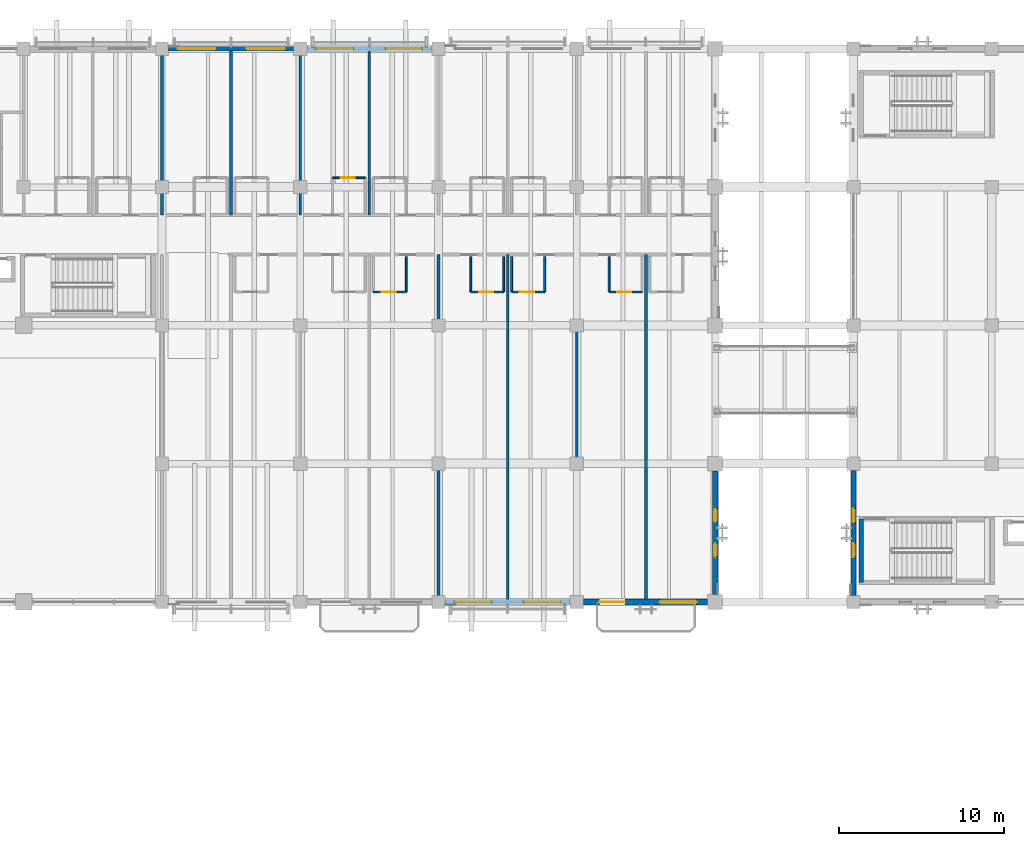
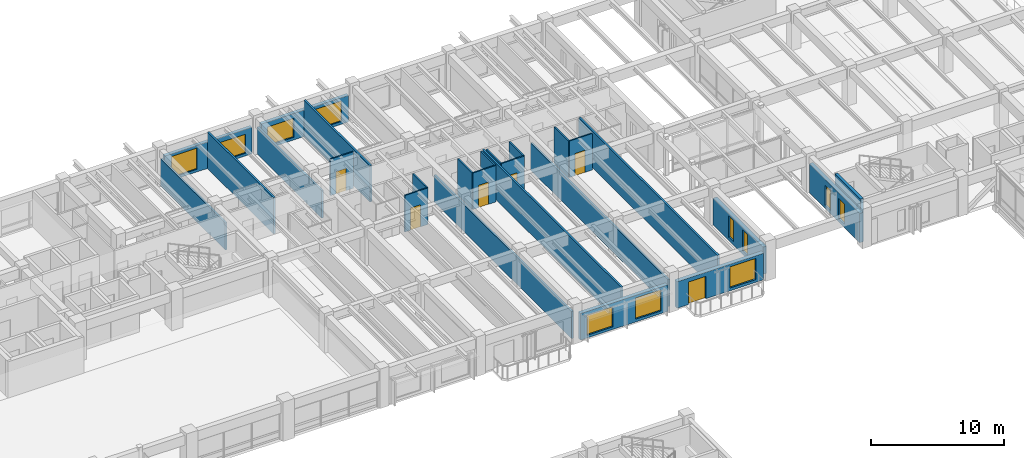
# One storey, part 75 of 118: 26 walls, 11 windows, 6 doors, 17 openings.
"""IFC4 building model written with IfcOpenShell, lengths in metres."""

from ifc_helpers import new_model, si_unit, direction, frame, frame_2d, origin, place, context, subcontext, project, spatial, rectangle, extrude, material, layer, layer_set, type_object, element, fill, save


model = new_model("IFC4")

# Units and contexts
model_context = context("Model", 3, precision=1e-05, world=origin(), true_north=direction((0.0, 1.0)))
body_context = subcontext(model_context, "Body", "Model", "MODEL_VIEW")
ifc_project = project(units=[si_unit("LENGTHUNIT", "METRE"), si_unit("AREAUNIT", "SQUARE_METRE"), si_unit("VOLUMEUNIT", "CUBIC_METRE"), si_unit("PLANEANGLEUNIT", "RADIAN"), si_unit("MASSUNIT", "GRAM", prefix="KILO")], contexts=[model_context])

# Site, building, storey
site_placement = place(None, origin())
site = spatial("IfcSite", under=ifc_project, at=site_placement, CompositionType="ELEMENT")
building_placement = place(site_placement, origin())
building = spatial("IfcBuilding", under=site, at=building_placement, Name="Cumbredor Promenade Congress Hotel", CompositionType="ELEMENT")
storey_placement = place(building_placement, frame((0.0, 0.0, 3.919921875)))
storey = spatial("IfcBuildingStorey", under=building, at=storey_placement, Name="L01", CompositionType="ELEMENT", Elevation=3.919921875)

# Wall, opening, door
ifc_material_1 = material(Name="Moisture-resistant gypsum board on steel studs", Category="steel")
ifc_layer_1 = layer(ifc_material_1, 0.114990234375, Name="Moisture-resistant gypsum board on steel studs", Category="steel")
ifc_layer_set_1 = layer_set([ifc_layer_1], Name="Moisture-resistant gypsum board on steel studs")
wall_type_1 = type_object("IfcWallType", Name="WL-BATH-115", PredefinedType="PARTITIONING", material=ifc_layer_set_1)
wall_1_placement = place(storey_placement, frame((60.760009765625, 109.77001953125, 0.0), z_axis=(0.0, 0.0, 1.0), x_axis=(1.0, 0.0, 0.0)))
wall_1 = element("IfcWall", 1, at=wall_1_placement, inside=storey, type_object=wall_type_1, Name="L01 Interior Partition W-L01-BH-0113", PredefinedType="PARTITIONING", context=body_context, shape_type="SweptSolid", body=[
    extrude(rectangle(XDim=2.0, YDim=0.114990234375, at=frame_2d((1.0, 0.0))), origin(), (0.0, 0.0, 1.0), 3.360107421875),
])
opening_1_placement = place(wall_1_placement, frame((0.5, 0.0, 0.0)))
opening_1 = element("IfcOpeningElement", 2, at=opening_1_placement, cuts=wall_1, Name="Opening ID-01", PredefinedType="OPENING", context=body_context, shape_type="SweptSolid", body=[
    extrude(rectangle(XDim=0.860107421875, YDim=2.050048828125, at=frame_2d((0.43017578125, 1.02490234375))), frame((0.0, 0.0673828125, 0.0), z_axis=(0.0, -1.0, 0.0), x_axis=(1.0, 0.0, 0.0)), (0.0, 0.0, 1.0), 0.135009765625),
])
ifc_material_2 = material(Name="Kiln-dried tropical hardwood", Category="wood")
door_type_1 = type_object("IfcDoorType", Name="DR-BATH-860", OperationType="NOTDEFINED", PredefinedType="DOOR", material=ifc_material_2)
door_1_placement = place(opening_1_placement, origin())
door_1 = element("IfcDoor", 3, at=door_1_placement, inside=storey, type_object=door_type_1, Name="L01 Interior Door W-L01-BH-0113-01", OperationType="SINGLE_SWING_LEFT", OverallHeight=2.050048828125, OverallWidth=0.860107421875, PredefinedType="DOOR", context=body_context, shape_type="SweptSolid", body=[
    extrude(rectangle(XDim=0.860107421875, YDim=2.050048828125, at=frame_2d((0.43017578125, 1.02490234375))), frame((0.0, 0.02490234375, 0.0), z_axis=(0.0, -1.0, 0.0), x_axis=(1.0, 0.0, 0.0)), (0.0, 0.0, 1.0), 0.050048828125),
])
fill(opening_1, door_1)

wall_2_placement = place(storey_placement, frame((63.239990234375, 102.830078125, 0.0), z_axis=(0.0, 0.0, 1.0), x_axis=(1.0, 0.0, 0.0)))
wall_2 = element("IfcWall", 4, at=wall_2_placement, inside=storey, type_object=wall_type_1, Name="L01 Interior Partition W-L01-BH-0121", PredefinedType="PARTITIONING", context=body_context, shape_type="SweptSolid", body=[
    extrude(rectangle(XDim=2.0, YDim=0.114990234375, at=frame_2d((1.0, 0.0))), origin(), (0.0, 0.0, 1.0), 3.360107421875),
])
opening_2_placement = place(wall_2_placement, frame((0.5, 0.0, 0.0)))
opening_2 = element("IfcOpeningElement", 5, at=opening_2_placement, cuts=wall_2, Name="Opening ID-01", PredefinedType="OPENING", context=body_context, shape_type="SweptSolid", body=[
    extrude(rectangle(XDim=0.860107421875, YDim=2.050048828125, at=frame_2d((0.43017578125, 1.02490234375))), frame((0.0, 0.0673828125, 0.0), z_axis=(0.0, -1.0, 0.0), x_axis=(1.0, 0.0, 0.0)), (0.0, 0.0, 1.0), 0.135009765625),
])
door_2_placement = place(opening_2_placement, origin())
door_2 = element("IfcDoor", 6, at=door_2_placement, inside=storey, type_object=door_type_1, Name="L01 Interior Door W-L01-BH-0121-01", OperationType="SINGLE_SWING_LEFT", OverallHeight=2.050048828125, OverallWidth=0.860107421875, PredefinedType="DOOR", context=body_context, shape_type="SweptSolid", body=[
    extrude(rectangle(XDim=0.860107421875, YDim=2.050048828125, at=frame_2d((0.43017578125, 1.02490234375))), frame((0.0, 0.02490234375, 0.0), z_axis=(0.0, -1.0, 0.0), x_axis=(1.0, 0.0, 0.0)), (0.0, 0.0, 1.0), 0.050048828125),
])
fill(opening_2, door_2)

# Wall
wall_3_placement = place(storey_placement, frame((65.239990234375, 102.830078125, 0.0), z_axis=(0.0, 0.0, 1.0), x_axis=(0.0, 1.0, 0.0)))
element("IfcWall", 7, at=wall_3_placement, inside=storey, type_object=wall_type_1, Name="L01 Interior Partition W-L01-BV2-0121", PredefinedType="PARTITIONING", context=body_context, shape_type="SweptSolid", body=[
    extrude(rectangle(XDim=2.14990234375, YDim=0.114990234375, at=frame_2d((1.074951171875, 0.0))), origin(), (0.0, 0.0, 1.0), 3.360107421875),
])

# Wall, opening, door
wall_4_placement = place(storey_placement, frame((69.159912109375, 102.830078125, 0.0), z_axis=(0.0, 0.0, 1.0), x_axis=(1.0, 0.0, 0.0)))
wall_4 = element("IfcWall", 8, at=wall_4_placement, inside=storey, type_object=wall_type_1, Name="L01 Interior Partition W-L01-BH-0122", PredefinedType="PARTITIONING", context=body_context, shape_type="SweptSolid", body=[
    extrude(rectangle(XDim=2.0, YDim=0.114990234375, at=frame_2d((1.0, 0.0))), origin(), (0.0, 0.0, 1.0), 3.360107421875),
])
opening_3_placement = place(wall_4_placement, frame((0.5, 0.0, 0.0)))
opening_3 = element("IfcOpeningElement", 9, at=opening_3_placement, cuts=wall_4, Name="Opening ID-01", PredefinedType="OPENING", context=body_context, shape_type="SweptSolid", body=[
    extrude(rectangle(XDim=0.860107421875, YDim=2.050048828125, at=frame_2d((0.43017578125, 1.02490234375))), frame((0.0, 0.0673828125, 0.0), z_axis=(0.0, -1.0, 0.0), x_axis=(1.0, 0.0, 0.0)), (0.0, 0.0, 1.0), 0.135009765625),
])
door_3_placement = place(opening_3_placement, origin())
door_3 = element("IfcDoor", 10, at=door_3_placement, inside=storey, type_object=door_type_1, Name="L01 Interior Door W-L01-BH-0122-01", OperationType="SINGLE_SWING_RIGHT", OverallHeight=2.050048828125, OverallWidth=0.860107421875, PredefinedType="DOOR", context=body_context, shape_type="SweptSolid", body=[
    extrude(rectangle(XDim=0.860107421875, YDim=2.050048828125, at=frame_2d((0.43017578125, 1.02490234375))), frame((0.0, 0.02490234375, 0.0), z_axis=(0.0, -1.0, 0.0), x_axis=(1.0, 0.0, 0.0)), (0.0, 0.0, 1.0), 0.050048828125),
])
fill(opening_3, door_3)

# Walls
for number, where, z_axis, x_axis, name in (
    (11, (69.159912109375, 102.830078125, 0.0), (0.0, 0.0, 1.0), (0.0, 1.0, 0.0), "L01 Interior Partition W-L01-BV1-0122"),
    (12, (71.159912109375, 102.830078125, 0.0), (0.0, 0.0, 1.0), (0.0, 1.0, 0.0), "L01 Interior Partition W-L01-BV2-0122"),
):
    element("IfcWall", number, at=place(storey_placement, frame(where, z_axis=z_axis, x_axis=x_axis)), inside=storey, type_object=wall_type_1, Name=name, PredefinedType="PARTITIONING", context=body_context, shape_type="SweptSolid", body=[
        extrude(rectangle(XDim=2.14990234375, YDim=0.114990234375, at=frame_2d((1.074951171875, 0.0))), origin(), (0.0, 0.0, 1.0), 3.360107421875),
    ])

# Wall, opening, door
wall_5_placement = place(storey_placement, frame((71.639892578125, 102.830078125, 0.0), z_axis=(0.0, 0.0, 1.0), x_axis=(1.0, 0.0, 0.0)))
wall_5 = element("IfcWall", 13, at=wall_5_placement, inside=storey, type_object=wall_type_1, Name="L01 Interior Partition W-L01-BH-0123", PredefinedType="PARTITIONING", context=body_context, shape_type="SweptSolid", body=[
    extrude(rectangle(XDim=2.0, YDim=0.114990234375, at=frame_2d((1.0, 0.0))), origin(), (0.0, 0.0, 1.0), 3.360107421875),
])
opening_4_placement = place(wall_5_placement, frame((0.5, 0.0, 0.0)))
opening_4 = element("IfcOpeningElement", 14, at=opening_4_placement, cuts=wall_5, Name="Opening ID-01", PredefinedType="OPENING", context=body_context, shape_type="SweptSolid", body=[
    extrude(rectangle(XDim=0.860107421875, YDim=2.050048828125, at=frame_2d((0.43017578125, 1.02490234375))), frame((0.0, 0.0673828125, 0.0), z_axis=(0.0, -1.0, 0.0), x_axis=(1.0, 0.0, 0.0)), (0.0, 0.0, 1.0), 0.135009765625),
])
door_4_placement = place(opening_4_placement, origin())
door_4 = element("IfcDoor", 15, at=door_4_placement, inside=storey, type_object=door_type_1, Name="L01 Interior Door W-L01-BH-0123-01", OperationType="SINGLE_SWING_LEFT", OverallHeight=2.050048828125, OverallWidth=0.860107421875, PredefinedType="DOOR", context=body_context, shape_type="SweptSolid", body=[
    extrude(rectangle(XDim=0.860107421875, YDim=2.050048828125, at=frame_2d((0.43017578125, 1.02490234375))), frame((0.0, 0.02490234375, 0.0), z_axis=(0.0, -1.0, 0.0), x_axis=(1.0, 0.0, 0.0)), (0.0, 0.0, 1.0), 0.050048828125),
])
fill(opening_4, door_4)

# Walls
for number, where, z_axis, x_axis, name in (
    (16, (71.639892578125, 102.830078125, 0.0), (0.0, 0.0, 1.0), (0.0, 1.0, 0.0), "L01 Interior Partition W-L01-BV1-0123"),
    (17, (73.639892578125, 102.830078125, 0.0), (0.0, 0.0, 1.0), (0.0, 1.0, 0.0), "L01 Interior Partition W-L01-BV2-0123"),
):
    element("IfcWall", number, at=place(storey_placement, frame(where, z_axis=z_axis, x_axis=x_axis)), inside=storey, type_object=wall_type_1, Name=name, PredefinedType="PARTITIONING", context=body_context, shape_type="SweptSolid", body=[
        extrude(rectangle(XDim=2.14990234375, YDim=0.114990234375, at=frame_2d((1.074951171875, 0.0))), origin(), (0.0, 0.0, 1.0), 3.360107421875),
    ])

# Wall, opening, door
wall_6_placement = place(storey_placement, frame((77.56005859375, 102.830078125, 0.0), z_axis=(0.0, 0.0, 1.0), x_axis=(1.0, 0.0, 0.0)))
wall_6 = element("IfcWall", 18, at=wall_6_placement, inside=storey, type_object=wall_type_1, Name="L01 Interior Partition W-L01-BH-0124", PredefinedType="PARTITIONING", context=body_context, shape_type="SweptSolid", body=[
    extrude(rectangle(XDim=2.0, YDim=0.114990234375, at=frame_2d((1.0, 0.0))), origin(), (0.0, 0.0, 1.0), 3.360107421875),
])
opening_5_placement = place(wall_6_placement, frame((0.5, 0.0, 0.0)))
opening_5 = element("IfcOpeningElement", 19, at=opening_5_placement, cuts=wall_6, Name="Opening ID-01", PredefinedType="OPENING", context=body_context, shape_type="SweptSolid", body=[
    extrude(rectangle(XDim=0.860107421875, YDim=2.050048828125, at=frame_2d((0.43017578125, 1.02490234375))), frame((0.0, 0.0673828125, 0.0), z_axis=(0.0, -1.0, 0.0), x_axis=(1.0, 0.0, 0.0)), (0.0, 0.0, 1.0), 0.135009765625),
])
door_5_placement = place(opening_5_placement, origin())
door_5 = element("IfcDoor", 20, at=door_5_placement, inside=storey, type_object=door_type_1, Name="L01 Interior Door W-L01-BH-0124-01", OperationType="SINGLE_SWING_RIGHT", OverallHeight=2.050048828125, OverallWidth=0.860107421875, PredefinedType="DOOR", context=body_context, shape_type="SweptSolid", body=[
    extrude(rectangle(XDim=0.860107421875, YDim=2.050048828125, at=frame_2d((0.43017578125, 1.02490234375))), frame((0.0, 0.02490234375, 0.0), z_axis=(0.0, -1.0, 0.0), x_axis=(1.0, 0.0, 0.0)), (0.0, 0.0, 1.0), 0.050048828125),
])
fill(opening_5, door_5)

# Wall
wall_7_placement = place(storey_placement, frame((77.56005859375, 102.830078125, 0.0), z_axis=(0.0, 0.0, 1.0), x_axis=(0.0, 1.0, 0.0)))
element("IfcWall", 21, at=wall_7_placement, inside=storey, type_object=wall_type_1, Name="L01 Interior Partition W-L01-BV1-0124", PredefinedType="PARTITIONING", context=body_context, shape_type="SweptSolid", body=[
    extrude(rectangle(XDim=2.14990234375, YDim=0.114990234375, at=frame_2d((1.074951171875, 0.0))), origin(), (0.0, 0.0, 1.0), 3.360107421875),
])

# Wall, openings, windows
ifc_material_3 = material(Name="Concrete C40/50", Category="concrete")
ifc_layer_2 = layer(ifc_material_3, 0.280029296875, Name="Concrete C40/50", Category="concrete")
ifc_layer_set_2 = layer_set([ifc_layer_2], Name="Concrete C40/50")
wall_type_2 = type_object("IfcWallType", Name="WL-EXT-280", PredefinedType="SOLIDWALL", material=ifc_layer_set_2)
wall_8_placement = place(storey_placement, frame((50.801025390625, 117.60009765625, 0.0), z_axis=(0.0, 0.0, 1.0), x_axis=(1.0, 0.0, 0.0)))
wall_8 = element("IfcWall", 22, at=wall_8_placement, inside=storey, type_object=wall_type_2, Name="L01 Stepped Congress Hotel Wing North Envelope Wall 7", PredefinedType="SOLIDWALL", context=body_context, shape_type="SweptSolid", body=[
    extrude(rectangle(XDim=7.597900390625, YDim=0.280029296875, at=frame_2d((3.798828125, 0.0))), origin(), (0.0, 0.0, 1.0), 2.445068359375),
])
opening_6_placement = place(wall_8_placement, frame((0.573974609375, 0.0, 0.25)))
opening_6 = element("IfcOpeningElement", 23, at=opening_6_placement, cuts=wall_8, Name="Opening WN-07", PredefinedType="OPENING", context=body_context, shape_type="SweptSolid", body=[
    extrude(rectangle(XDim=2.25, YDim=1.949951171875, at=frame_2d((1.125, 0.97509765625))), frame((0.0, 0.14990234375, 0.0), z_axis=(0.0, -1.0, 0.0), x_axis=(1.0, 0.0, 0.0)), (0.0, 0.0, 1.0), 0.300048828125),
])
opening_7_placement = place(wall_8_placement, frame((4.7490234375, 0.0, 0.25)))
opening_7 = element("IfcOpeningElement", 24, at=opening_7_placement, cuts=wall_8, Name="Opening WN-25", PredefinedType="OPENING", context=body_context, shape_type="SweptSolid", body=[
    extrude(rectangle(XDim=2.300048828125, YDim=1.75, at=frame_2d((1.14990234375, 0.875))), frame((0.0, 0.14990234375, 0.0), z_axis=(0.0, -1.0, 0.0), x_axis=(1.0, 0.0, 0.0)), (0.0, 0.0, 1.0), 0.300048828125),
])
ifc_material_4 = material(Name="Thermally broken anodized aluminium and low-E glass", Category="aluminium")
window_type_1 = type_object("IfcWindowType", Name="Hospitality Floor-to-Ceiling Window WN-07 2250x1950", PartitioningType="DOUBLE_PANEL_VERTICAL", PredefinedType="WINDOW", material=ifc_material_4)
window_1_placement = place(opening_6_placement, origin())
window_1 = element("IfcWindow", 25, at=window_1_placement, inside=storey, type_object=window_type_1, Name="L01 Wide Hospitality Window 0210", OverallHeight=1.949951171875, OverallWidth=2.25, PartitioningType="DOUBLE_PANEL_VERTICAL", PredefinedType="WINDOW", context=body_context, shape_type="SweptSolid", body=[
    extrude(rectangle(XDim=2.25, YDim=1.949951171875, at=frame_2d((1.125, 0.97509765625))), frame((0.0, 0.030029296875, 0.0), z_axis=(0.0, -1.0, 0.0), x_axis=(1.0, 0.0, 0.0)), (0.0, 0.0, 1.0), 0.06005859375),
])
fill(opening_6, window_1)
window_type_2 = type_object("IfcWindowType", Name="Hospitality Floor-to-Ceiling Window WN-25 2300x1750", PartitioningType="DOUBLE_PANEL_VERTICAL", PredefinedType="WINDOW", material=ifc_material_4)
window_2_placement = place(opening_7_placement, origin())
window_2 = element("IfcWindow", 26, at=window_2_placement, inside=storey, type_object=window_type_2, Name="L01 Wide Hospitality Window 0211", OverallHeight=1.75, OverallWidth=2.300048828125, PartitioningType="DOUBLE_PANEL_VERTICAL", PredefinedType="WINDOW", context=body_context, shape_type="SweptSolid", body=[
    extrude(rectangle(XDim=2.300048828125, YDim=1.75, at=frame_2d((1.14990234375, 0.875))), frame((0.0, 0.030029296875, 0.0), z_axis=(0.0, -1.0, 0.0), x_axis=(1.0, 0.0, 0.0)), (0.0, 0.0, 1.0), 0.06005859375),
])
fill(opening_7, window_2)

ifc_layer_3 = layer(ifc_material_3, 0.300048828125, Name="Concrete C40/50", Category="concrete")
ifc_layer_set_3 = layer_set([ifc_layer_3], Name="Concrete C40/50")
wall_type_3 = type_object("IfcWallType", Name="WL-EXT-300", PredefinedType="SOLIDWALL", material=ifc_layer_set_3)
wall_9_placement = place(storey_placement, frame((59.200927734375, 117.60009765625, 0.0), z_axis=(0.0, 0.0, 1.0), x_axis=(1.0, 0.0, 0.0)))
wall_9 = element("IfcWall", 27, at=wall_9_placement, inside=storey, type_object=wall_type_3, Name="L01 Stepped Congress Hotel Wing North Envelope Wall 8", PredefinedType="SOLIDWALL", context=body_context, shape_type="SweptSolid", body=[
    extrude(rectangle(XDim=7.59814453125, YDim=0.300048828125, at=frame_2d((3.799072265625, 0.0))), origin(), (0.0, 0.0, 1.0), 2.445068359375),
])
opening_8_placement = place(wall_9_placement, frame((0.549072265625, 0.0, 0.25)))
opening_8 = element("IfcOpeningElement", 28, at=opening_8_placement, cuts=wall_9, Name="Opening WN-25", PredefinedType="OPENING", context=body_context, shape_type="SweptSolid", body=[
    extrude(rectangle(XDim=2.300048828125, YDim=1.75, at=frame_2d((1.14990234375, 0.875))), frame((0.0, 0.16015625, 0.0), z_axis=(0.0, -1.0, 0.0), x_axis=(1.0, 0.0, 0.0)), (0.0, 0.0, 1.0), 0.320068359375),
])
opening_9_placement = place(wall_9_placement, frame((4.7890625, 0.0, 0.25)))
opening_9 = element("IfcOpeningElement", 29, at=opening_9_placement, cuts=wall_9, Name="Opening WN-35", PredefinedType="OPENING", context=body_context, shape_type="SweptSolid", body=[
    extrude(rectangle(XDim=2.219970703125, YDim=1.89990234375, at=frame_2d((1.10986328125, 0.949951171875))), frame((0.0, 0.16015625, 0.0), z_axis=(0.0, -1.0, 0.0), x_axis=(1.0, 0.0, 0.0)), (0.0, 0.0, 1.0), 0.320068359375),
])
window_3_placement = place(opening_8_placement, origin())
window_3 = element("IfcWindow", 30, at=window_3_placement, inside=storey, type_object=window_type_2, Name="L01 Wide Hospitality Window 0212", OverallHeight=1.75, OverallWidth=2.300048828125, PartitioningType="DOUBLE_PANEL_VERTICAL", PredefinedType="WINDOW", context=body_context, shape_type="SweptSolid", body=[
    extrude(rectangle(XDim=2.300048828125, YDim=1.75, at=frame_2d((1.14990234375, 0.875))), frame((0.0, 0.030029296875, 0.0), z_axis=(0.0, -1.0, 0.0), x_axis=(1.0, 0.0, 0.0)), (0.0, 0.0, 1.0), 0.06005859375),
])
fill(opening_8, window_3)
window_type_3 = type_object("IfcWindowType", Name="Hospitality Floor-to-Ceiling Window WN-35 2220x1900", PartitioningType="DOUBLE_PANEL_VERTICAL", PredefinedType="WINDOW", material=ifc_material_4)
window_4_placement = place(opening_9_placement, origin())
window_4 = element("IfcWindow", 31, at=window_4_placement, inside=storey, type_object=window_type_3, Name="L01 Wide Hospitality Window 0213", OverallHeight=1.89990234375, OverallWidth=2.219970703125, PartitioningType="DOUBLE_PANEL_VERTICAL", PredefinedType="WINDOW", context=body_context, shape_type="SweptSolid", body=[
    extrude(rectangle(XDim=2.219970703125, YDim=1.89990234375, at=frame_2d((1.10986328125, 0.949951171875))), frame((0.0, 0.030029296875, 0.0), z_axis=(0.0, -1.0, 0.0), x_axis=(1.0, 0.0, 0.0)), (0.0, 0.0, 1.0), 0.06005859375),
])
fill(opening_9, window_4)

ifc_layer_4 = layer(ifc_material_3, 0.324951171875, Name="Concrete C40/50", Category="concrete")
ifc_layer_set_4 = layer_set([ifc_layer_4], Name="Concrete C40/50")
wall_type_4 = type_object("IfcWallType", Name="WL-EXT-325", PredefinedType="SOLIDWALL", material=ifc_layer_set_4)
wall_10_placement = place(storey_placement, frame((92.39990234375, 84.40087890625, 0.0), z_axis=(0.0, 0.0, 1.0), x_axis=(0.0, 1.0, 0.0)))
wall_10 = element("IfcWall", 32, at=wall_10_placement, inside=storey, type_object=wall_type_4, Name="L01 Pre-Function and Breakout Meeting Forum West Envelope Wall 1", PredefinedType="SOLIDWALL", context=body_context, shape_type="SweptSolid", body=[
    extrude(rectangle(XDim=7.59814453125, YDim=0.324951171875, at=frame_2d((3.799072265625, 0.0))), origin(), (0.0, 0.0, 1.0), 2.695068359375),
])
opening_10_placement = place(wall_10_placement, frame((2.3291015625, 0.0, 0.300048828125)))
opening_10 = element("IfcOpeningElement", 33, at=opening_10_placement, cuts=wall_10, Name="Opening WN-47", PredefinedType="OPENING", context=body_context, shape_type="SweptSolid", body=[
    extrude(rectangle(XDim=0.840087890625, YDim=1.85009765625, at=frame_2d((0.419921875, 0.925048828125))), frame((0.0, 0.17236328125, 0.0), z_axis=(0.0, -1.0, 0.0), x_axis=(1.0, 0.0, 0.0)), (0.0, 0.0, 1.0), 0.344970703125),
])
opening_11_placement = place(wall_10_placement, frame((4.428955078125, 0.0, 0.300048828125)))
opening_11 = element("IfcOpeningElement", 34, at=opening_11_placement, cuts=wall_10, Name="Opening WN-47", PredefinedType="OPENING", context=body_context, shape_type="SweptSolid", body=[
    extrude(rectangle(XDim=0.840087890625, YDim=1.85009765625, at=frame_2d((0.419921875, 0.925048828125))), frame((0.0, 0.17236328125, 0.0), z_axis=(0.0, -1.0, 0.0), x_axis=(1.0, 0.0, 0.0)), (0.0, 0.0, 1.0), 0.344970703125),
])
window_type_4 = type_object("IfcWindowType", Name="Vertical Slot Window WN-47 840x1850", PartitioningType="SINGLE_PANEL", PredefinedType="WINDOW", material=ifc_material_4)
window_5_placement = place(opening_10_placement, origin())
window_5 = element("IfcWindow", 35, at=window_5_placement, inside=storey, type_object=window_type_4, Name="L01 Vertical Slot Window 0177", OverallHeight=1.85009765625, OverallWidth=0.840087890625, PartitioningType="SINGLE_PANEL", PredefinedType="WINDOW", context=body_context, shape_type="SweptSolid", body=[
    extrude(rectangle(XDim=0.840087890625, YDim=1.85009765625, at=frame_2d((0.419921875, 0.925048828125))), frame((0.0, 0.030029296875, 0.0), z_axis=(0.0, -1.0, 0.0), x_axis=(1.0, 0.0, 0.0)), (0.0, 0.0, 1.0), 0.06005859375),
])
fill(opening_10, window_5)
window_6_placement = place(opening_11_placement, origin())
window_6 = element("IfcWindow", 36, at=window_6_placement, inside=storey, type_object=window_type_4, Name="L01 Vertical Slot Window 0178", OverallHeight=1.85009765625, OverallWidth=0.840087890625, PartitioningType="SINGLE_PANEL", PredefinedType="WINDOW", context=body_context, shape_type="SweptSolid", body=[
    extrude(rectangle(XDim=0.840087890625, YDim=1.85009765625, at=frame_2d((0.419921875, 0.925048828125))), frame((0.0, 0.030029296875, 0.0), z_axis=(0.0, -1.0, 0.0), x_axis=(1.0, 0.0, 0.0)), (0.0, 0.0, 1.0), 0.06005859375),
])
fill(opening_11, window_6)

wall_11_placement = place(storey_placement, frame((67.60107421875, 84.0, 0.0), z_axis=(0.0, 0.0, 1.0), x_axis=(1.0, 0.0, 0.0)))
wall_11 = element("IfcWall", 37, at=wall_11_placement, inside=storey, type_object=wall_type_4, Name="L01 Stepped Congress Hotel Wing South Envelope Wall 9", PredefinedType="SOLIDWALL", context=body_context, shape_type="SweptSolid", body=[
    extrude(rectangle(XDim=7.597900390625, YDim=0.324951171875, at=frame_2d((3.798828125, 0.0))), origin(), (0.0, 0.0, 1.0), 2.445068359375),
])
opening_12_placement = place(wall_11_placement, frame((0.573974609375, 0.0, 0.25)))
opening_12 = element("IfcOpeningElement", 38, at=opening_12_placement, cuts=wall_11, Name="Opening WN-01", PredefinedType="OPENING", context=body_context, shape_type="SweptSolid", body=[
    extrude(rectangle(XDim=2.25, YDim=1.85009765625, at=frame_2d((1.125, 0.925048828125))), frame((0.0, 0.17236328125, 0.0), z_axis=(0.0, -1.0, 0.0), x_axis=(1.0, 0.0, 0.0)), (0.0, 0.0, 1.0), 0.344970703125),
])
opening_13_placement = place(wall_11_placement, frame((4.77392578125, 0.0, 0.25)))
opening_13 = element("IfcOpeningElement", 39, at=opening_13_placement, cuts=wall_11, Name="Opening WN-07", PredefinedType="OPENING", context=body_context, shape_type="SweptSolid", body=[
    extrude(rectangle(XDim=2.25, YDim=1.949951171875, at=frame_2d((1.125, 0.97509765625))), frame((0.0, 0.17236328125, 0.0), z_axis=(0.0, -1.0, 0.0), x_axis=(1.0, 0.0, 0.0)), (0.0, 0.0, 1.0), 0.344970703125),
])
window_type_5 = type_object("IfcWindowType", Name="Hospitality Floor-to-Ceiling Window WN-01 2250x1850", PartitioningType="DOUBLE_PANEL_VERTICAL", PredefinedType="WINDOW", material=ifc_material_4)
window_7_placement = place(opening_12_placement, origin())
window_7 = element("IfcWindow", 40, at=window_7_placement, inside=storey, type_object=window_type_5, Name="L01 Wide Hospitality Window 0197", OverallHeight=1.85009765625, OverallWidth=2.25, PartitioningType="DOUBLE_PANEL_VERTICAL", PredefinedType="WINDOW", context=body_context, shape_type="SweptSolid", body=[
    extrude(rectangle(XDim=2.25, YDim=1.85009765625, at=frame_2d((1.125, 0.925048828125))), frame((0.0, 0.030029296875, 0.0), z_axis=(0.0, -1.0, 0.0), x_axis=(1.0, 0.0, 0.0)), (0.0, 0.0, 1.0), 0.06005859375),
])
fill(opening_12, window_7)
window_8_placement = place(opening_13_placement, origin())
window_8 = element("IfcWindow", 41, at=window_8_placement, inside=storey, type_object=window_type_1, Name="L01 Wide Hospitality Window 0198", OverallHeight=1.949951171875, OverallWidth=2.25, PartitioningType="DOUBLE_PANEL_VERTICAL", PredefinedType="WINDOW", context=body_context, shape_type="SweptSolid", body=[
    extrude(rectangle(XDim=2.25, YDim=1.949951171875, at=frame_2d((1.125, 0.97509765625))), frame((0.0, 0.030029296875, 0.0), z_axis=(0.0, -1.0, 0.0), x_axis=(1.0, 0.0, 0.0)), (0.0, 0.0, 1.0), 0.06005859375),
])
fill(opening_13, window_8)

wall_12_placement = place(storey_placement, frame((84.0, 84.450927734375, 0.0), z_axis=(0.0, 0.0, 1.0), x_axis=(0.0, 1.0, 0.0)))
wall_12 = element("IfcWall", 42, at=wall_12_placement, inside=storey, type_object=wall_type_4, Name="L01 Stepped Congress Hotel Wing East Envelope Wall 1", PredefinedType="SOLIDWALL", context=body_context, shape_type="SweptSolid", body=[
    extrude(rectangle(XDim=7.498046875, YDim=0.324951171875, at=frame_2d((3.7490234375, 0.0))), origin(), (0.0, 0.0, 1.0), 2.4951171875),
])
opening_14_placement = place(wall_12_placement, frame((2.30908203125, 0.0, 0.300048828125)))
opening_14 = element("IfcOpeningElement", 43, at=opening_14_placement, cuts=wall_12, Name="Opening WN-50", PredefinedType="OPENING", context=body_context, shape_type="SweptSolid", body=[
    extrude(rectangle(XDim=0.780029296875, YDim=1.949951171875, at=frame_2d((0.39013671875, 0.97509765625))), frame((0.0, 0.17236328125, 0.0), z_axis=(0.0, -1.0, 0.0), x_axis=(1.0, 0.0, 0.0)), (0.0, 0.0, 1.0), 0.344970703125),
])
opening_15_placement = place(wall_12_placement, frame((4.408935546875, 0.0, 0.300048828125)))
opening_15 = element("IfcOpeningElement", 44, at=opening_15_placement, cuts=wall_12, Name="Opening WN-50", PredefinedType="OPENING", context=body_context, shape_type="SweptSolid", body=[
    extrude(rectangle(XDim=0.780029296875, YDim=1.949951171875, at=frame_2d((0.39013671875, 0.97509765625))), frame((0.0, 0.17236328125, 0.0), z_axis=(0.0, -1.0, 0.0), x_axis=(1.0, 0.0, 0.0)), (0.0, 0.0, 1.0), 0.344970703125),
])
window_type_6 = type_object("IfcWindowType", Name="Vertical Slot Window WN-50 780x1950", PartitioningType="SINGLE_PANEL", PredefinedType="WINDOW", material=ifc_material_4)
window_9_placement = place(opening_14_placement, origin())
window_9 = element("IfcWindow", 45, at=window_9_placement, inside=storey, type_object=window_type_6, Name="L01 Vertical Slot Window 0226", OverallHeight=1.949951171875, OverallWidth=0.780029296875, PartitioningType="SINGLE_PANEL", PredefinedType="WINDOW", context=body_context, shape_type="SweptSolid", body=[
    extrude(rectangle(XDim=0.780029296875, YDim=1.949951171875, at=frame_2d((0.39013671875, 0.97509765625))), frame((0.0, 0.030029296875, 0.0), z_axis=(0.0, -1.0, 0.0), x_axis=(1.0, 0.0, 0.0)), (0.0, 0.0, 1.0), 0.06005859375),
])
fill(opening_14, window_9)
window_10_placement = place(opening_15_placement, origin())
window_10 = element("IfcWindow", 46, at=window_10_placement, inside=storey, type_object=window_type_6, Name="L01 Vertical Slot Window 0227", OverallHeight=1.949951171875, OverallWidth=0.780029296875, PartitioningType="SINGLE_PANEL", PredefinedType="WINDOW", context=body_context, shape_type="SweptSolid", body=[
    extrude(rectangle(XDim=0.780029296875, YDim=1.949951171875, at=frame_2d((0.39013671875, 0.97509765625))), frame((0.0, 0.030029296875, 0.0), z_axis=(0.0, -1.0, 0.0), x_axis=(1.0, 0.0, 0.0)), (0.0, 0.0, 1.0), 0.06005859375),
])
fill(opening_15, window_10)

# Wall, openings, door, window
ifc_layer_5 = layer(ifc_material_3, 0.35009765625, Name="Concrete C40/50", Category="concrete")
ifc_layer_set_5 = layer_set([ifc_layer_5], Name="Concrete C40/50")
wall_type_5 = type_object("IfcWallType", Name="WL-EXT-350", PredefinedType="SOLIDWALL", material=ifc_layer_set_5)
wall_13_placement = place(storey_placement, frame((76.0009765625, 84.0, 0.0), z_axis=(0.0, 0.0, 1.0), x_axis=(1.0, 0.0, 0.0)))
wall_13 = element("IfcWall", 47, at=wall_13_placement, inside=storey, type_object=wall_type_5, Name="L01 Stepped Congress Hotel Wing South Envelope Wall 10", PredefinedType="SOLIDWALL", context=body_context, shape_type="SweptSolid", body=[
    extrude(rectangle(XDim=7.548095703125, YDim=0.35009765625, at=frame_2d((3.77392578125, 0.0))), origin(), (0.0, 0.0, 1.0), 2.445068359375),
])
opening_16_placement = place(wall_13_placement, frame((0.97412109375, 0.0, 0.0)))
opening_16 = element("IfcOpeningElement", 48, at=opening_16_placement, cuts=wall_13, Name="Opening TD-01", PredefinedType="OPENING", context=body_context, shape_type="SweptSolid", body=[
    extrude(rectangle(XDim=1.550048828125, YDim=2.080078125, at=frame_2d((0.77490234375, 1.0400390625))), frame((0.0, 0.18505859375, 0.0), z_axis=(0.0, -1.0, 0.0), x_axis=(1.0, 0.0, 0.0)), (0.0, 0.0, 1.0), 0.3701171875),
])
opening_17_placement = place(wall_13_placement, frame((4.6240234375, 0.0, 0.25)))
opening_17 = element("IfcOpeningElement", 49, at=opening_17_placement, cuts=wall_13, Name="Opening WN-07", PredefinedType="OPENING", context=body_context, shape_type="SweptSolid", body=[
    extrude(rectangle(XDim=2.25, YDim=1.949951171875, at=frame_2d((1.125, 0.97509765625))), frame((0.0, 0.18505859375, 0.0), z_axis=(0.0, -1.0, 0.0), x_axis=(1.0, 0.0, 0.0)), (0.0, 0.0, 1.0), 0.3701171875),
])
ifc_material_5 = material(Name="Thermally broken anodized aluminium and laminated safety glass", Category="aluminium")
door_type_2 = type_object("IfcDoorType", Name="EXT-DR-TER-1550x2080", OperationType="DOUBLE_DOOR_SINGLE_SWING", PredefinedType="DOOR", material=ifc_material_5)
door_6_placement = place(opening_16_placement, frame((1.550048828125, 0.0, 0.0), z_axis=(0.0, 0.0, 1.0), x_axis=(-1.0, 0.0, 0.0)))
door_6 = element("IfcDoor", 50, at=door_6_placement, inside=storey, type_object=door_type_2, Name="L01 Guestroom Veranda Balcony Door 033", OperationType="DOUBLE_DOOR_SINGLE_SWING", OverallHeight=2.080078125, OverallWidth=1.550048828125, PredefinedType="DOOR", context=body_context, shape_type="SweptSolid", body=[
    extrude(rectangle(XDim=1.550048828125, YDim=2.080078125, at=frame_2d((0.77490234375, 1.0400390625))), frame((0.0, 0.02490234375, 0.0), z_axis=(0.0, -1.0, 0.0), x_axis=(1.0, 0.0, 0.0)), (0.0, 0.0, 1.0), 0.050048828125),
])
fill(opening_16, door_6)
window_11_placement = place(opening_17_placement, origin())
window_11 = element("IfcWindow", 51, at=window_11_placement, inside=storey, type_object=window_type_1, Name="L01 Veranda Companion Floor-to-Ceiling Window 0199", OverallHeight=1.949951171875, OverallWidth=2.25, PartitioningType="DOUBLE_PANEL_VERTICAL", PredefinedType="WINDOW", context=body_context, shape_type="SweptSolid", body=[
    extrude(rectangle(XDim=2.25, YDim=1.949951171875, at=frame_2d((1.125, 0.97509765625))), frame((0.0, 0.030029296875, 0.0), z_axis=(0.0, -1.0, 0.0), x_axis=(1.0, 0.0, 0.0)), (0.0, 0.0, 1.0), 0.06005859375),
])
fill(opening_17, window_11)

# Walls
ifc_layer_6 = layer(ifc_material_3, 0.2548828125, Name="Concrete C40/50", Category="concrete")
ifc_layer_set_6 = layer_set([ifc_layer_6], Name="Concrete C40/50")
wall_type_6 = type_object("IfcWallType", Name="WL-SHAFT-250", PredefinedType="SOLIDWALL", material=ifc_layer_set_6)
wall_14_placement = place(storey_placement, frame((92.8798828125, 85.179931640625, 0.0), z_axis=(0.0, 0.0, 1.0), x_axis=(0.0, 1.0, 0.0)))
element("IfcWall", 52, at=wall_14_placement, inside=storey, type_object=wall_type_6, Name="STAIR-ST-13-L01 Shaft Wall West", PredefinedType="SOLIDWALL", context=body_context, shape_type="SweptSolid", body=[
    extrude(rectangle(XDim=3.8701171875, YDim=0.2548828125, at=frame_2d((1.93505859375, 0.0))), origin(), (0.0, 0.0, 1.0), 3.360107421875),
])
ifc_material_6 = material(Name="Fire-rated acoustic double-stud partition")
ifc_layer_7 = layer(ifc_material_6, 0.1650390625, Name="Fire-rated acoustic double-stud partition")
ifc_layer_set_7 = layer_set([ifc_layer_7], Name="Fire-rated acoustic double-stud partition")
wall_type_7 = type_object("IfcWallType", Name="WL-UNIT-165", PredefinedType="PARTITIONING", material=ifc_layer_set_7)
wall_15_placement = place(storey_placement, frame((54.60009765625, 107.5, 0.0), z_axis=(0.0, 0.0, 1.0), x_axis=(0.0, 1.0, 0.0)))
element("IfcWall", 53, at=wall_15_placement, inside=storey, type_object=wall_type_7, Name="L01 Interior Partition W-L01-N-DIV-6-M", PredefinedType="PARTITIONING", context=body_context, shape_type="SweptSolid", body=[
    extrude(rectangle(XDim=9.9599609375, YDim=0.1650390625, at=frame_2d((4.97998046875, 0.0))), origin(), (0.0, 0.0, 1.0), 3.360107421875),
])
wall_16_placement = place(storey_placement, frame((50.39990234375, 107.5, 0.0), z_axis=(0.0, 0.0, 1.0), x_axis=(0.0, 1.0, 0.0)))
element("IfcWall", 54, at=wall_16_placement, inside=storey, type_object=wall_type_7, Name="L01 Interior Partition W-L01-N-DIV-6-G", PredefinedType="PARTITIONING", context=body_context, shape_type="SweptSolid", body=[
    extrude(rectangle(XDim=9.75, YDim=0.1650390625, at=frame_2d((4.875, 0.0))), origin(), (0.0, 0.0, 1.0), 2.4951171875),
])
wall_17_placement = place(storey_placement, frame((63.0, 107.5, 0.0), z_axis=(0.0, 0.0, 1.0), x_axis=(0.0, 1.0, 0.0)))
element("IfcWall", 55, at=wall_17_placement, inside=storey, type_object=wall_type_7, Name="L01 Interior Partition W-L01-N-DIV-7-M", PredefinedType="PARTITIONING", context=body_context, shape_type="SweptSolid", body=[
    extrude(rectangle(XDim=9.949951171875, YDim=0.1650390625, at=frame_2d((4.97509765625, 0.0))), origin(), (0.0, 0.0, 1.0), 3.360107421875),
])
wall_18_placement = place(storey_placement, frame((58.800048828125, 107.5, 0.0), z_axis=(0.0, 0.0, 1.0), x_axis=(0.0, 1.0, 0.0)))
element("IfcWall", 56, at=wall_18_placement, inside=storey, type_object=wall_type_7, Name="L01 Interior Partition W-L01-N-DIV-7-G", PredefinedType="PARTITIONING", context=body_context, shape_type="SweptSolid", body=[
    extrude(rectangle(XDim=9.75, YDim=0.1650390625, at=frame_2d((4.875, 0.0))), origin(), (0.0, 0.0, 1.0), 2.4951171875),
])
wall_19_placement = place(storey_placement, frame((71.39990234375, 84.16259765625, 0.0), z_axis=(0.0, 0.0, 1.0), x_axis=(0.0, 1.0, 0.0)))
element("IfcWall", 57, at=wall_19_placement, inside=storey, type_object=wall_type_7, Name="L01 Interior Partition W-L01-SE-DIV-2-M", PredefinedType="PARTITIONING", context=body_context, shape_type="SweptSolid", body=[
    extrude(rectangle(XDim=20.9375, YDim=0.1650390625, at=frame_2d((10.46875, 0.0))), origin(), (0.0, 0.0, 1.0), 3.360107421875),
])
wall_20_placement = place(storey_placement, frame((67.199951171875, 84.35009765625, 0.0), z_axis=(0.0, 0.0, 1.0), x_axis=(0.0, 1.0, 0.0)))
element("IfcWall", 58, at=wall_20_placement, inside=storey, type_object=wall_type_7, Name="L01 Interior Partition W-L01-SE-DIV-2-G", PredefinedType="PARTITIONING", context=body_context, shape_type="SweptSolid", body=[
    extrude(rectangle(XDim=20.75, YDim=0.1650390625, at=frame_2d((10.375, 0.0))), origin(), (0.0, 0.0, 1.0), 2.4951171875),
])
wall_21_placement = place(storey_placement, frame((79.800048828125, 84.175048828125, 0.0), z_axis=(0.0, 0.0, 1.0), x_axis=(0.0, 1.0, 0.0)))
element("IfcWall", 59, at=wall_21_placement, inside=storey, type_object=wall_type_7, Name="L01 Interior Partition W-L01-SE-DIV-3-M", PredefinedType="PARTITIONING", context=body_context, shape_type="SweptSolid", body=[
    extrude(rectangle(XDim=20.925048828125, YDim=0.1650390625, at=frame_2d((10.46240234375, 0.0))), origin(), (0.0, 0.0, 1.0), 3.360107421875),
])
wall_22_placement = place(storey_placement, frame((75.60009765625, 84.35009765625, 0.0), z_axis=(0.0, 0.0, 1.0), x_axis=(0.0, 1.0, 0.0)))
element("IfcWall", 60, at=wall_22_placement, inside=storey, type_object=wall_type_7, Name="L01 Interior Partition W-L01-SE-DIV-3-G", PredefinedType="PARTITIONING", context=body_context, shape_type="SweptSolid", body=[
    extrude(rectangle(XDim=20.75, YDim=0.1650390625, at=frame_2d((10.375, 0.0))), origin(), (0.0, 0.0, 1.0), 2.4951171875),
])

save(model, "model.ifc")
